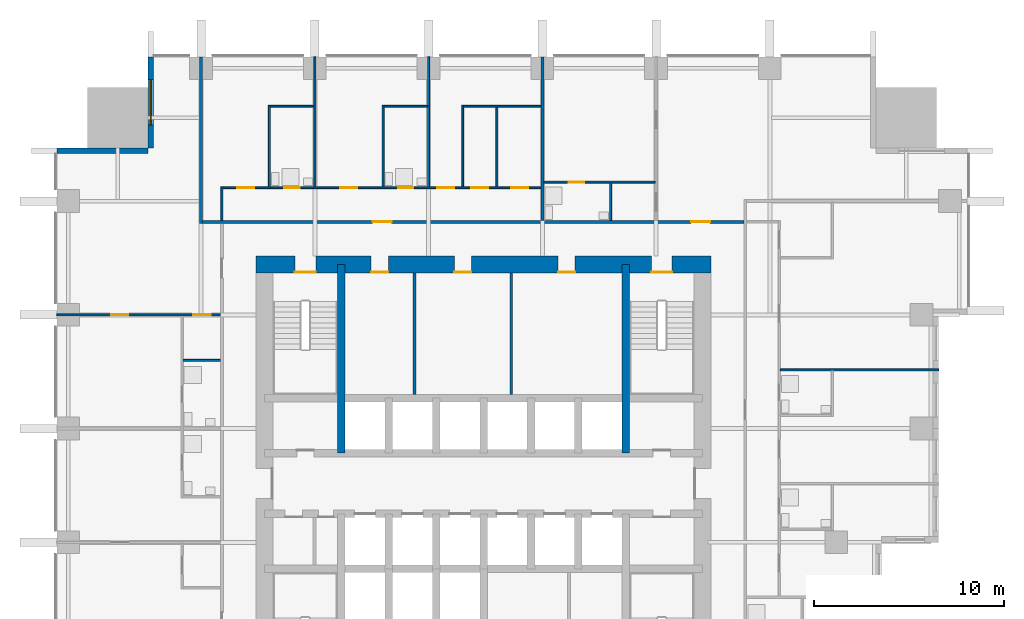
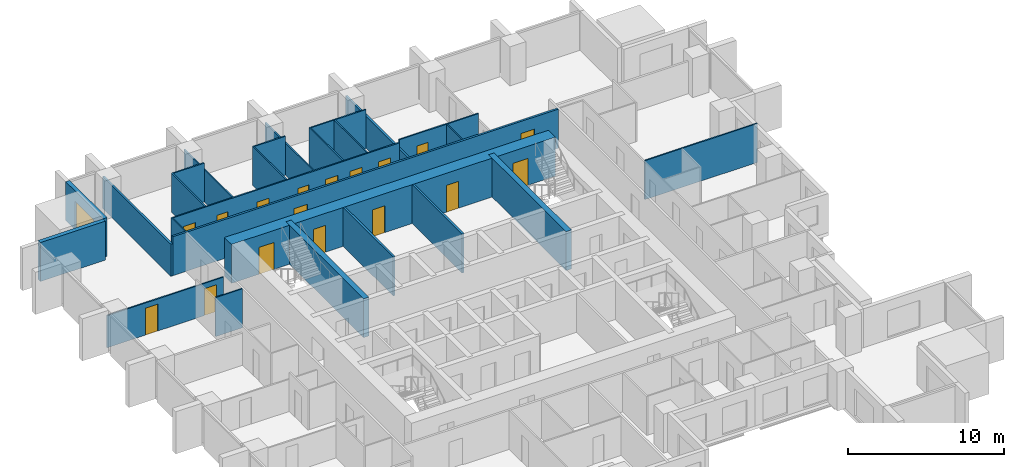
# One storey, part 7 of 10: 26 walls, 17 doors, 1 window, 18 openings.
"""IFC4 building model written with IfcOpenShell, lengths in metres."""

import ifcopenshell
import ifcopenshell.guid

model = None  # the IFC model being written
_history = None  # IfcOwnerHistory: only IFC2X3 demands one
_inside = {}  # id of a spatial element -> (the spatial element, [elements in it])
_under = {}  # id of a project, library or spatial element -> (it, [spatial elements below it])
_declared = {}  # id of a project -> (the project, [libraries it declares])
_typed = {}  # id of a type object -> (the type object, [elements of that type])
_made_of = {}  # id of a material, layer set ... -> (it, [elements and type objects made of it])


def new_model(schema):
    """Start an empty IFC model of exactly this schema.

    Asked for "IFC4X3", IfcOpenShell would pick the latest addendum, in which some entities
    have other attributes; the version numbers below select the first issue.
    IFC2X3 requires an IfcOwnerHistory on every rooted entity: one is made here for all.
    """
    global model, _history
    if schema == "IFC4X3":
        model = ifcopenshell.file(schema_version=(4, 3, 0, 0))
    else:
        model = ifcopenshell.file(schema=schema)
    _inside.clear()
    _under.clear()
    _declared.clear()
    _typed.clear()
    _made_of.clear()
    _history = None
    if model.schema == "IFC2X3":
        org = make("IfcOrganization", Name="unknown")
        user = make(
            "IfcPersonAndOrganization",
            ThePerson=make("IfcPerson", FamilyName="unknown"),
            TheOrganization=org,
        )
        app = make(
            "IfcApplication",
            ApplicationDeveloper=org,
            Version="unknown",
            ApplicationFullName="unknown",
            ApplicationIdentifier="unknown",
        )
        _history = make(
            "IfcOwnerHistory",
            OwningUser=user,
            OwningApplication=app,
            ChangeAction="ADDED",
            CreationDate=0,
        )
    return model


def make(cls, **values):
    """One entity of the class cls with the attributes given. An attribute that is None is left unset."""
    return model.create_entity(
        cls, **{name: value for name, value in values.items() if value is not None}
    )


def rooted(cls, **values):
    """An entity with a GlobalId (a new one), such as an element, a storey or a relation."""
    return make(cls, GlobalId=ifcopenshell.guid.new(), OwnerHistory=_history, **values)


def si_unit(unit_type, name, prefix=None):
    """IfcSIUnit, for example si_unit("LENGTHUNIT", "METRE", prefix="MILLI")."""
    return make("IfcSIUnit", UnitType=unit_type, Prefix=prefix, Name=name)


def assignment(units):
    """IfcUnitAssignment: the units of a project."""
    return None if units is None else make("IfcUnitAssignment", Units=units)


def point(xyz):
    """IfcCartesianPoint."""
    return None if xyz is None else make("IfcCartesianPoint", Coordinates=xyz)


def direction(xyz):
    """IfcDirection."""
    return None if xyz is None else make("IfcDirection", DirectionRatios=xyz)


def frame(location, z_axis=None, x_axis=None):
    """IfcAxis2Placement3D, a coordinate frame: its origin and axes. An axis left out is left unset."""
    return make(
        "IfcAxis2Placement3D",
        Location=point(location),
        Axis=direction(z_axis),
        RefDirection=direction(x_axis),
    )


def frame_2d(location, x_axis=None):
    """IfcAxis2Placement2D, a coordinate frame in the plane: its origin and x axis."""
    return make(
        "IfcAxis2Placement2D", Location=point(location), RefDirection=direction(x_axis)
    )


def origin():
    """The frame at (0, 0, 0) with its axes left unset."""
    return frame((0.0, 0.0, 0.0))


def place(relative_to, where):
    """IfcLocalPlacement: puts the frame where relative to a parent placement (None: the world)."""
    return make(
        "IfcLocalPlacement", PlacementRelTo=relative_to, RelativePlacement=where
    )


def context(
    kind, dimensions, precision=None, world=None, true_north=None, identifier=None
):
    """IfcGeometricRepresentationContext, for example the 3D "Model" context."""
    return make(
        "IfcGeometricRepresentationContext",
        ContextIdentifier=identifier,
        ContextType=kind,
        CoordinateSpaceDimension=dimensions,
        Precision=precision,
        WorldCoordinateSystem=world,
        TrueNorth=true_north,
    )


def subcontext(parent, identifier, kind, view, scale=None):
    """IfcGeometricRepresentationSubContext, for example "Body" below "Model"."""
    return make(
        "IfcGeometricRepresentationSubContext",
        ContextIdentifier=identifier,
        ContextType=kind,
        ParentContext=parent,
        TargetScale=scale,
        TargetView=view,
    )


def project(units=None, contexts=None):
    """IfcProject with its units and contexts."""
    return rooted(
        "IfcProject",
        Name="project",
        RepresentationContexts=contexts,
        UnitsInContext=assignment(units),
    )


def spatial(cls, under=None, at=None, **own):
    """A site, building, storey or space (cls), placed at a placement, below another one or the project."""
    s = rooted(cls, ObjectPlacement=at, **own)
    if under is not None:
        _under.setdefault(under.id(), (under, []))[1].append(s)
    return s


def profile(cls, at=None, kind="AREA", **sizes):
    """A parametric profile (cls). Its sizes go by their IFC names, for example OverallWidth=200.0."""
    return make(cls, ProfileType=kind, Position=at, **sizes)


def rectangle(**sizes):
    """IfcRectangleProfileDef."""
    return profile("IfcRectangleProfileDef", **sizes)


def extrude(swept, where, along, depth):
    """IfcExtrudedAreaSolid: the profile swept, set in the frame where, extruded along a direction by depth."""
    return make(
        "IfcExtrudedAreaSolid",
        SweptArea=swept,
        Position=where,
        ExtrudedDirection=direction(along),
        Depth=depth,
    )


def shape(context_of_items, identifier, shape_type, items):
    """IfcShapeRepresentation: the items that make up one representation, for example the "Body"."""
    return make(
        "IfcShapeRepresentation",
        ContextOfItems=context_of_items,
        RepresentationIdentifier=identifier,
        RepresentationType=shape_type,
        Items=items,
    )


def material(Name=None, Category=None):
    """IfcMaterial."""
    return make("IfcMaterial", Name=Name, Category=Category)


def layer(
    of_material, thickness, ventilated=None, Name=None, Category=None, Priority=None
):
    """IfcMaterialLayer: one layer of a wall or slab, of a material (None: an air gap)."""
    return make(
        "IfcMaterialLayer",
        Material=of_material,
        LayerThickness=thickness,
        IsVentilated=ventilated,
        Name=Name,
        Category=Category,
        Priority=Priority,
    )


def layer_set(layers, Name=None):
    """IfcMaterialLayerSet."""
    return make("IfcMaterialLayerSet", MaterialLayers=layers, LayerSetName=Name)


def made_of(thing, what):
    """Note that an element or type object is made of a material, layer set ...; save() writes the relation."""
    if what is not None:
        _made_of.setdefault(what.id(), (what, []))[1].append(thing)
    return thing


def type_object(cls, material=None, **own):
    """A type object (cls), such as IfcWallType, which elements share."""
    return made_of(rooted(cls, **own), material)


def element(
    cls,
    number,
    at=None,
    inside=None,
    cuts=None,
    type_object=None,
    material=None,
    context=None,
    identifier="Body",
    shape_type=None,
    held_by="IfcProductDefinitionShape",
    body=None,
    shapes=None,
    **own,
):
    """One element of the class cls, such as IfcWall. Its Tag is "e" and its number.

    at: its placement. inside: the storey or other place that contains it. cuts: it is an
    opening in that element (IfcRelVoidsElement). A single representation is given by context,
    identifier, shape_type and body (its items); several are given by shapes. held_by: the class
    of the entity that holds the representations. save() writes the other relations.
    """
    e = rooted(cls, Tag="e%d" % number, ObjectPlacement=at, **own)
    if body is not None:
        shapes = [shape(context, identifier, shape_type, body)]
    if shapes is not None:
        e.Representation = make(held_by, Representations=shapes)
    if inside is not None:
        _inside.setdefault(inside.id(), (inside, []))[1].append(e)
    if cuts is not None:
        rooted(
            "IfcRelVoidsElement", RelatingBuildingElement=cuts, RelatedOpeningElement=e
        )
    if type_object is not None:
        _typed.setdefault(type_object.id(), (type_object, []))[1].append(e)
    return made_of(e, material)


def fill(opening, filler):
    """IfcRelFillsElement: the door or window that sits in an opening."""
    return rooted(
        "IfcRelFillsElement",
        RelatingOpeningElement=opening,
        RelatedBuildingElement=filler,
    )


def aggregate(whole, parts):
    """IfcRelAggregates: a whole, such as a stair, and the parts it consists of."""
    return rooted("IfcRelAggregates", RelatingObject=whole, RelatedObjects=parts)


def save(model, path):
    """Write the relations noted so far, then the file.

    IfcRelAggregates (storeys below a building ...), IfcRelContainedInSpatialStructure (elements
    in a storey), IfcRelDefinesByType, IfcRelAssociatesMaterial and IfcRelDeclares: one each for
    every whole, place, type object, material and project.
    """
    for whole, parts in _under.values():
        aggregate(whole, parts)
    for where, things in _inside.values():
        rooted(
            "IfcRelContainedInSpatialStructure",
            RelatedElements=things,
            RelatingStructure=where,
        )
    for kind, things in _typed.values():
        rooted("IfcRelDefinesByType", RelatedObjects=things, RelatingType=kind)
    for what, things in _made_of.values():
        rooted("IfcRelAssociatesMaterial", RelatedObjects=things, RelatingMaterial=what)
    for by, libraries in _declared.values():
        rooted("IfcRelDeclares", RelatingContext=by, RelatedDefinitions=libraries)
    model.write(path)


model = new_model("IFC4")

# Units and contexts
model_context = context("Model", 3, precision=1e-05, world=origin(), true_north=direction((0.0, 1.0)))
body_context = subcontext(model_context, "Body", "Model", "MODEL_VIEW")
ifc_project = project(units=[si_unit("LENGTHUNIT", "METRE"), si_unit("AREAUNIT", "SQUARE_METRE"), si_unit("VOLUMEUNIT", "CUBIC_METRE"), si_unit("PLANEANGLEUNIT", "RADIAN"), si_unit("MASSUNIT", "GRAM", prefix="KILO")], contexts=[model_context])

# Site, building, storey
site_placement = place(None, origin())
site = spatial("IfcSite", under=ifc_project, at=site_placement, CompositionType="ELEMENT")
building_placement = place(site_placement, origin())
building = spatial("IfcBuilding", under=site, at=building_placement, Name="Amberfall Residences", CompositionType="ELEMENT")
storey_placement = place(building_placement, frame((0.0, 0.0, 46.60009765625)))
storey = spatial("IfcBuildingStorey", under=building, at=storey_placement, Name="L12", CompositionType="ELEMENT", Elevation=46.60009765625)

# Wall, opening, window
ifc_material_1 = material(Name="Pale stone cladding on insulated backing", Category="masonry")
ifc_layer_1 = layer(ifc_material_1, 0.300048828125)
ifc_layer_set_1 = layer_set([ifc_layer_1], Name="Bronze clad wall 300")
wall_type_1 = type_object("IfcWallType", Name="Bronze clad wall 300", PredefinedType="SOLIDWALL", material=ifc_layer_set_1)
wall_1_placement = place(storey_placement, frame((56.949951171875, 68.0, 0.0), z_axis=(0.0, 0.0, 1.0), x_axis=(0.0, -1.0, 0.0)))
wall_1 = element("IfcWall", 1, at=wall_1_placement, inside=storey, type_object=wall_type_1, Name="External wall L12 NW", PredefinedType="SOLIDWALL", context=body_context, shape_type="SweptSolid", body=[
    extrude(rectangle(XDim=4.800048828125, YDim=0.300048828125, at=frame_2d((2.39990234375, 0.0))), origin(), (0.0, 0.0, 1.0), 3.0498046875),
])
opening_1_placement = place(wall_1_placement, frame((1.199951171875, 0.0, 0.14990234375)))
opening_1 = element("IfcOpeningElement", 2, at=opening_1_placement, cuts=wall_1, Name="Opening WN5", PredefinedType="OPENING", context=body_context, shape_type="SweptSolid", body=[
    extrude(rectangle(XDim=2.39990234375, YDim=2.10009765625, at=frame_2d((1.199951171875, 1.050048828125))), frame((0.0, 0.159912109375, 0.0), z_axis=(0.0, -1.0, 0.0), x_axis=(1.0, 0.0, 0.0)), (0.0, 0.0, 1.0), 0.320068359375),
])
ifc_material_2 = material(Name="Bronze aluminium framed glazing", Category="aluminium")
window_type = type_object("IfcWindowType", Name="Glazed opening 2400 x 2100 bronze", PartitioningType="DOUBLE_PANEL_VERTICAL", PredefinedType="WINDOW", material=ifc_material_2)
window_placement = place(opening_1_placement, origin())
window = element("IfcWindow", 3, at=window_placement, inside=storey, type_object=window_type, Name="Window L12 NW", OverallHeight=2.10009765625, OverallWidth=2.39990234375, PartitioningType="DOUBLE_PANEL_VERTICAL", PredefinedType="WINDOW", context=body_context, shape_type="SweptSolid", body=[
    extrude(rectangle(XDim=2.39990234375, YDim=2.10009765625, at=frame_2d((1.199951171875, 1.050048828125))), frame((0.0, 0.030029296875, 0.0), z_axis=(0.0, -1.0, 0.0), x_axis=(1.0, 0.0, 0.0)), (0.0, 0.0, 1.0), 0.06005859375),
])
fill(opening_1, window)

# Walls
wall_2_placement = place(storey_placement, frame((56.800048828125, 63.050048828125, 0.0), z_axis=(0.0, 0.0, 1.0), x_axis=(-1.0, 0.0, 0.0)))
element("IfcWall", 4, at=wall_2_placement, inside=storey, type_object=wall_type_1, Name="External wall L12 NW", PredefinedType="SOLIDWALL", context=body_context, shape_type="SweptSolid", body=[
    extrude(rectangle(XDim=4.800048828125, YDim=0.300048828125, at=frame_2d((2.39990234375, 0.0))), origin(), (0.0, 0.0, 1.0), 3.0498046875),
])
ifc_material_3 = material(Name="Concrete C80", Category="concrete")
ifc_layer_2 = layer(ifc_material_3, 0.39990234375)
ifc_layer_set_2 = layer_set([ifc_layer_2], Name="Core wall 400 C80")
wall_type_2 = type_object("IfcWallType", Name="Core wall 400 C80", PredefinedType="SHEAR", material=ifc_layer_set_2)
for number, where, z_axis, x_axis, name in (
    (5, (67.0, 47.10009765625, 0.0), (0.0, 0.0, 1.0), (0.0, 1.0, 0.0), "Core wall RW2 L12 V45N"),
    (6, (82.0, 47.10009765625, 0.0), (0.0, 0.0, 1.0), (0.0, 1.0, 0.0), "Core wall RW2 L12 V195N"),
):
    element("IfcWall", number, at=place(storey_placement, frame(where, z_axis=z_axis, x_axis=x_axis)), inside=storey, type_object=wall_type_2, Name=name, PredefinedType="SHEAR", context=body_context, shape_type="SweptSolid", body=[
        extrude(rectangle(XDim=9.949951171875, YDim=0.39990234375, at=frame_2d((4.97509765625, 0.0))), origin(), (0.0, 0.0, 1.0), 3.0498046875),
    ])

# Wall, openings, doors
ifc_layer_3 = layer(ifc_material_3, 0.89990234375)
ifc_layer_set_3 = layer_set([ifc_layer_3], Name="Core wall 900 C80")
wall_type_3 = type_object("IfcWallType", Name="Core wall 900 C80", PredefinedType="SHEAR", material=ifc_layer_set_3)
wall_3_placement = place(storey_placement, frame((62.5, 57.050048828125, 0.0), z_axis=(0.0, 0.0, 1.0), x_axis=(1.0, 0.0, 0.0)))
wall_3 = element("IfcWall", 7, at=wall_3_placement, inside=storey, type_object=wall_type_3, Name="Core wall RW1 L12 ON", PredefinedType="SHEAR", context=body_context, shape_type="SweptSolid", body=[
    extrude(rectangle(XDim=24.0, YDim=0.89990234375, at=frame_2d((12.0, 0.0))), origin(), (0.0, 0.0, 1.0), 3.0498046875),
])
opening_2_placement = place(wall_3_placement, frame((20.85009765625, 0.0, 0.0)))
opening_2 = element("IfcOpeningElement", 8, at=opening_2_placement, cuts=wall_3, Name="Opening SD1", PredefinedType="OPENING", context=body_context, shape_type="SweptSolid", body=[
    extrude(rectangle(XDim=1.10009765625, YDim=2.10009765625, at=frame_2d((0.550048828125, 1.050048828125))), frame((0.0, 0.4599609375, 0.0), z_axis=(0.0, -1.0, 0.0), x_axis=(1.0, 0.0, 0.0)), (0.0, 0.0, 1.0), 0.919921875),
])
opening_3_placement = place(wall_3_placement, frame((2.050048828125, 0.0, 0.0)))
opening_3 = element("IfcOpeningElement", 9, at=opening_3_placement, cuts=wall_3, Name="Opening SD1", PredefinedType="OPENING", context=body_context, shape_type="SweptSolid", body=[
    extrude(rectangle(XDim=1.10009765625, YDim=2.10009765625, at=frame_2d((0.550048828125, 1.050048828125))), frame((0.0, 0.4599609375, 0.0), z_axis=(0.0, -1.0, 0.0), x_axis=(1.0, 0.0, 0.0)), (0.0, 0.0, 1.0), 0.919921875),
])
opening_4_placement = place(wall_3_placement, frame((6.074951171875, 0.0, 0.0)))
opening_4 = element("IfcOpeningElement", 10, at=opening_4_placement, cuts=wall_3, Name="Opening RD1", PredefinedType="OPENING", context=body_context, shape_type="SweptSolid", body=[
    extrude(rectangle(XDim=0.89990234375, YDim=2.10009765625, at=frame_2d((0.449951171875, 1.050048828125))), frame((0.0, 0.4599609375, 0.0), z_axis=(0.0, -1.0, 0.0), x_axis=(1.0, 0.0, 0.0)), (0.0, 0.0, 1.0), 0.919921875),
])
opening_5_placement = place(wall_3_placement, frame((10.455078125, 0.0, 0.0)))
opening_5 = element("IfcOpeningElement", 11, at=opening_5_placement, cuts=wall_3, Name="Opening RD1", PredefinedType="OPENING", context=body_context, shape_type="SweptSolid", body=[
    extrude(rectangle(XDim=0.89990234375, YDim=2.10009765625, at=frame_2d((0.449951171875, 1.050048828125))), frame((0.0, 0.4599609375, 0.0), z_axis=(0.0, -1.0, 0.0), x_axis=(1.0, 0.0, 0.0)), (0.0, 0.0, 1.0), 0.919921875),
])
opening_6_placement = place(wall_3_placement, frame((15.929931640625, 0.0, 0.0)))
opening_6 = element("IfcOpeningElement", 12, at=opening_6_placement, cuts=wall_3, Name="Opening RD1", PredefinedType="OPENING", context=body_context, shape_type="SweptSolid", body=[
    extrude(rectangle(XDim=0.89990234375, YDim=2.10009765625, at=frame_2d((0.449951171875, 1.050048828125))), frame((0.0, 0.4599609375, 0.0), z_axis=(0.0, -1.0, 0.0), x_axis=(1.0, 0.0, 0.0)), (0.0, 0.0, 1.0), 0.919921875),
])
ifc_material_4 = material(Name="Steel fire door set", Category="steel")
door_type_1 = type_object("IfcDoorType", Name="Service room door 900 x 2100", OperationType="SINGLE_SWING_LEFT", PredefinedType="DOOR", material=ifc_material_4)
door_1_placement = place(opening_4_placement, origin())
door_1 = element("IfcDoor", 13, at=door_1_placement, inside=storey, type_object=door_type_1, Name="RD1 L12", OperationType="SINGLE_SWING_RIGHT", OverallHeight=2.10009765625, OverallWidth=0.89990234375, PredefinedType="DOOR", context=body_context, shape_type="SweptSolid", body=[
    extrude(rectangle(XDim=0.89990234375, YDim=2.10009765625, at=frame_2d((0.449951171875, 1.050048828125))), frame((0.0, -0.3876953125, 0.0), z_axis=(0.0, -1.0, 0.0), x_axis=(1.0, 0.0, 0.0)), (0.0, 0.0, 1.0), 0.050048828125),
])
fill(opening_4, door_1)
door_2_placement = place(opening_5_placement, origin())
door_2 = element("IfcDoor", 14, at=door_2_placement, inside=storey, type_object=door_type_1, Name="RD1 L12", OperationType="SINGLE_SWING_RIGHT", OverallHeight=2.10009765625, OverallWidth=0.89990234375, PredefinedType="DOOR", context=body_context, shape_type="SweptSolid", body=[
    extrude(rectangle(XDim=0.89990234375, YDim=2.10009765625, at=frame_2d((0.449951171875, 1.050048828125))), frame((0.0, -0.3876953125, 0.0), z_axis=(0.0, -1.0, 0.0), x_axis=(1.0, 0.0, 0.0)), (0.0, 0.0, 1.0), 0.050048828125),
])
fill(opening_5, door_2)
door_3_placement = place(opening_6_placement, origin())
door_3 = element("IfcDoor", 15, at=door_3_placement, inside=storey, type_object=door_type_1, Name="RD1 L12", OperationType="SINGLE_SWING_RIGHT", OverallHeight=2.10009765625, OverallWidth=0.89990234375, PredefinedType="DOOR", context=body_context, shape_type="SweptSolid", body=[
    extrude(rectangle(XDim=0.89990234375, YDim=2.10009765625, at=frame_2d((0.449951171875, 1.050048828125))), frame((0.0, -0.3876953125, 0.0), z_axis=(0.0, -1.0, 0.0), x_axis=(1.0, 0.0, 0.0)), (0.0, 0.0, 1.0), 0.050048828125),
])
fill(opening_6, door_3)
door_type_2 = type_object("IfcDoorType", Name="Stair door 1100 x 2100", OperationType="SINGLE_SWING_LEFT", PredefinedType="DOOR", material=ifc_material_4)
door_4_placement = place(opening_2_placement, origin())
door_4 = element("IfcDoor", 16, at=door_4_placement, inside=storey, type_object=door_type_2, Name="SD1 L12", OperationType="SINGLE_SWING_RIGHT", OverallHeight=2.10009765625, OverallWidth=1.10009765625, PredefinedType="DOOR", context=body_context, shape_type="SweptSolid", body=[
    extrude(rectangle(XDim=1.10009765625, YDim=2.10009765625, at=frame_2d((0.550048828125, 1.050048828125))), frame((0.0, -0.3876953125, 0.0), z_axis=(0.0, -1.0, 0.0), x_axis=(1.0, 0.0, 0.0)), (0.0, 0.0, 1.0), 0.050048828125),
])
fill(opening_2, door_4)
door_5_placement = place(opening_3_placement, origin())
door_5 = element("IfcDoor", 17, at=door_5_placement, inside=storey, type_object=door_type_2, Name="SD1 L12", OperationType="SINGLE_SWING_LEFT", OverallHeight=2.10009765625, OverallWidth=1.10009765625, PredefinedType="DOOR", context=body_context, shape_type="SweptSolid", body=[
    extrude(rectangle(XDim=1.10009765625, YDim=2.10009765625, at=frame_2d((0.550048828125, 1.050048828125))), frame((0.0, -0.3876953125, 0.0), z_axis=(0.0, -1.0, 0.0), x_axis=(1.0, 0.0, 0.0)), (0.0, 0.0, 1.0), 0.050048828125),
])
fill(opening_3, door_5)

# Walls
ifc_material_5 = material(Name="Gypsum board on metal stud")
ifc_layer_4 = layer(ifc_material_5, 0.10009765625)
ifc_layer_set_4 = layer_set([ifc_layer_4], Name="Flat partition 100")
wall_type_4 = type_object("IfcWallType", Name="Flat partition 100", PredefinedType="PARTITIONING", material=ifc_layer_set_4)
wall_4_placement = place(storey_placement, frame((60.699951171875, 59.375, 0.0), z_axis=(0.0, 0.0, 1.0), x_axis=(0.0, 1.0, 0.0)))
element("IfcWall", 18, at=wall_4_placement, inside=storey, type_object=wall_type_4, Name="Partition 004", PredefinedType="PARTITIONING", context=body_context, shape_type="SweptSolid", body=[
    extrude(rectangle(XDim=1.77490234375, YDim=0.10009765625, at=frame_2d((0.887451171875, 0.0))), origin(), (0.0, 0.0, 1.0), 3.0498046875),
])
wall_5_placement = place(storey_placement, frame((63.199951171875, 61.14990234375, 0.0), z_axis=(0.0, 0.0, 1.0), x_axis=(0.0, 1.0, 0.0)))
element("IfcWall", 19, at=wall_5_placement, inside=storey, type_object=wall_type_4, Name="Partition 005", PredefinedType="PARTITIONING", context=body_context, shape_type="SweptSolid", body=[
    extrude(rectangle(XDim=4.300048828125, YDim=0.10009765625, at=frame_2d((2.14990234375, 0.0))), origin(), (0.0, 0.0, 1.0), 3.0498046875),
])
wall_6_placement = place(storey_placement, frame((65.60009765625, 61.14990234375, 0.0), z_axis=(0.0, 0.0, 1.0), x_axis=(0.0, 1.0, 0.0)))
element("IfcWall", 20, at=wall_6_placement, inside=storey, type_object=wall_type_4, Name="Partition 006", PredefinedType="PARTITIONING", context=body_context, shape_type="SweptSolid", body=[
    extrude(rectangle(XDim=6.85009765625, YDim=0.10009765625, at=frame_2d((3.425048828125, 0.0))), origin(), (0.0, 0.0, 1.0), 2.515869140625),
])
wall_7_placement = place(storey_placement, frame((69.199951171875, 61.14990234375, 0.0), z_axis=(0.0, 0.0, 1.0), x_axis=(0.0, 1.0, 0.0)))
element("IfcWall", 21, at=wall_7_placement, inside=storey, type_object=wall_type_4, Name="Partition 008", PredefinedType="PARTITIONING", context=body_context, shape_type="SweptSolid", body=[
    extrude(rectangle(XDim=4.300048828125, YDim=0.10009765625, at=frame_2d((2.14990234375, 0.0))), origin(), (0.0, 0.0, 1.0), 3.0498046875),
])
wall_8_placement = place(storey_placement, frame((71.60009765625, 61.14990234375, 0.0), z_axis=(0.0, 0.0, 1.0), x_axis=(0.0, 1.0, 0.0)))
element("IfcWall", 22, at=wall_8_placement, inside=storey, type_object=wall_type_4, Name="Partition 010", PredefinedType="PARTITIONING", context=body_context, shape_type="SweptSolid", body=[
    extrude(rectangle(XDim=6.85009765625, YDim=0.10009765625, at=frame_2d((3.425048828125, 0.0))), origin(), (0.0, 0.0, 1.0), 2.515869140625),
])
wall_9_placement = place(storey_placement, frame((73.39990234375, 61.14990234375, 0.0), z_axis=(0.0, 0.0, 1.0), x_axis=(0.0, 1.0, 0.0)))
element("IfcWall", 23, at=wall_9_placement, inside=storey, type_object=wall_type_4, Name="Partition 011", PredefinedType="PARTITIONING", context=body_context, shape_type="SweptSolid", body=[
    extrude(rectangle(XDim=4.300048828125, YDim=0.10009765625, at=frame_2d((2.14990234375, 0.0))), origin(), (0.0, 0.0, 1.0), 3.0498046875),
])
wall_10_placement = place(storey_placement, frame((75.199951171875, 61.14990234375, 0.0), z_axis=(0.0, 0.0, 1.0), x_axis=(0.0, 1.0, 0.0)))
element("IfcWall", 24, at=wall_10_placement, inside=storey, type_object=wall_type_4, Name="Partition 012", PredefinedType="PARTITIONING", context=body_context, shape_type="SweptSolid", body=[
    extrude(rectangle(XDim=4.2001953125, YDim=0.10009765625, at=frame_2d((2.10009765625, 0.0))), origin(), (0.0, 0.0, 1.0), 3.0498046875),
])
wall_11_placement = place(storey_placement, frame((81.199951171875, 59.375, 0.0), z_axis=(0.0, 0.0, 1.0), x_axis=(0.0, 1.0, 0.0)))
element("IfcWall", 25, at=wall_11_placement, inside=storey, type_object=wall_type_4, Name="Partition 015", PredefinedType="PARTITIONING", context=body_context, shape_type="SweptSolid", body=[
    extrude(rectangle(XDim=1.97509765625, YDim=0.10009765625, at=frame_2d((0.987548828125, 0.0))), origin(), (0.0, 0.0, 1.0), 3.0498046875),
])
for number, where, z_axis, x_axis, name in (
    (26, (63.25, 65.39990234375, 0.0), (0.0, 0.0, 1.0), (1.0, 0.0, 0.0), "Partition 024"),
    (27, (69.25, 65.39990234375, 0.0), (0.0, 0.0, 1.0), (1.0, 0.0, 0.0), "Partition 025"),
):
    element("IfcWall", number, at=place(storey_placement, frame(where, z_axis=z_axis, x_axis=x_axis)), inside=storey, type_object=wall_type_4, Name=name, PredefinedType="PARTITIONING", context=body_context, shape_type="SweptSolid", body=[
        extrude(rectangle(XDim=2.300048828125, YDim=0.10009765625, at=frame_2d((1.14990234375, 0.0))), origin(), (0.0, 0.0, 1.0), 3.0498046875),
    ])
wall_12_placement = place(storey_placement, frame((73.449951171875, 65.39990234375, 0.0), z_axis=(0.0, 0.0, 1.0), x_axis=(1.0, 0.0, 0.0)))
element("IfcWall", 28, at=wall_12_placement, inside=storey, type_object=wall_type_4, Name="Partition 026", PredefinedType="PARTITIONING", context=body_context, shape_type="SweptSolid", body=[
    extrude(rectangle(XDim=4.074951171875, YDim=0.10009765625, at=frame_2d((2.03759765625, 0.0))), origin(), (0.0, 0.0, 1.0), 3.0498046875),
])

# Wall, opening, door
wall_13_placement = place(storey_placement, frame((83.550048828125, 61.39990234375, 0.0), z_axis=(0.0, 0.0, 1.0), x_axis=(-1.0, 0.0, 0.0)))
wall_13 = element("IfcWall", 29, at=wall_13_placement, inside=storey, type_object=wall_type_4, Name="Partition 027", PredefinedType="PARTITIONING", context=body_context, shape_type="SweptSolid", body=[
    extrude(rectangle(XDim=5.875, YDim=0.10009765625, at=frame_2d((2.9375, 0.0))), origin(), (0.0, 0.0, 1.0), 3.0498046875),
])
opening_7_placement = place(wall_13_placement, frame((3.75, 0.0, 0.0)))
opening_7 = element("IfcOpeningElement", 30, at=opening_7_placement, cuts=wall_13, Name="Opening D42", PredefinedType="OPENING", context=body_context, shape_type="SweptSolid", body=[
    extrude(rectangle(XDim=0.800048828125, YDim=2.10009765625, at=frame_2d((0.39990234375, 1.050048828125))), frame((0.0, 0.06005859375, 0.0), z_axis=(0.0, -1.0, 0.0), x_axis=(1.0, 0.0, 0.0)), (0.0, 0.0, 1.0), 0.1201171875),
])
ifc_material_6 = material(Name="Timber", Category="wood")
door_type_3 = type_object("IfcDoorType", Name="Bathroom door 800 x 2100", OperationType="SINGLE_SWING_LEFT", PredefinedType="DOOR", material=ifc_material_6)
door_6_placement = place(opening_7_placement, origin())
door_6 = element("IfcDoor", 31, at=door_6_placement, inside=storey, type_object=door_type_3, Name="Door 1206 bath1", OperationType="SINGLE_SWING_LEFT", OverallHeight=2.10009765625, OverallWidth=0.800048828125, PredefinedType="DOOR", context=body_context, shape_type="SweptSolid", body=[
    extrude(rectangle(XDim=0.800048828125, YDim=2.10009765625, at=frame_2d((0.39990234375, 1.050048828125))), frame((0.0, 0.02490234375, 0.0), z_axis=(0.0, -1.0, 0.0), x_axis=(1.0, 0.0, 0.0)), (0.0, 0.0, 1.0), 0.050048828125),
])
fill(opening_7, door_6)

# Wall, openings, doors
wall_14_placement = place(storey_placement, frame((60.75, 61.10009765625, 0.0), z_axis=(0.0, 0.0, 1.0), x_axis=(1.0, 0.0, 0.0)))
wall_14 = element("IfcWall", 32, at=wall_14_placement, inside=storey, type_object=wall_type_4, Name="Partition 028", PredefinedType="PARTITIONING", context=body_context, shape_type="SweptSolid", body=[
    extrude(rectangle(XDim=16.77490234375, YDim=0.10009765625, at=frame_2d((8.387451171875, 0.0))), origin(), (0.0, 0.0, 1.0), 3.0498046875),
])
opening_8_placement = place(wall_14_placement, frame((11.300048828125, 0.0, 0.0)))
opening_8 = element("IfcOpeningElement", 33, at=opening_8_placement, cuts=wall_14, Name="Opening D41", PredefinedType="OPENING", context=body_context, shape_type="SweptSolid", body=[
    extrude(rectangle(XDim=0.89990234375, YDim=2.10009765625, at=frame_2d((0.449951171875, 1.050048828125))), frame((0.0, 0.06005859375, 0.0), z_axis=(0.0, -1.0, 0.0), x_axis=(1.0, 0.0, 0.0)), (0.0, 0.0, 1.0), 0.1201171875),
])
opening_9_placement = place(wall_14_placement, frame((15.199951171875, 0.0, 0.0)))
opening_9 = element("IfcOpeningElement", 34, at=opening_9_placement, cuts=wall_14, Name="Opening D41", PredefinedType="OPENING", context=body_context, shape_type="SweptSolid", body=[
    extrude(rectangle(XDim=0.89990234375, YDim=2.10009765625, at=frame_2d((0.449951171875, 1.050048828125))), frame((0.0, 0.06005859375, 0.0), z_axis=(0.0, -1.0, 0.0), x_axis=(1.0, 0.0, 0.0)), (0.0, 0.0, 1.0), 0.1201171875),
])
opening_10_placement = place(wall_14_placement, frame((13.10009765625, 0.0, 0.0)))
opening_10 = element("IfcOpeningElement", 35, at=opening_10_placement, cuts=wall_14, Name="Opening D41", PredefinedType="OPENING", context=body_context, shape_type="SweptSolid", body=[
    extrude(rectangle(XDim=0.89990234375, YDim=2.10009765625, at=frame_2d((0.449951171875, 1.050048828125))), frame((0.0, 0.06005859375, 0.0), z_axis=(0.0, -1.0, 0.0), x_axis=(1.0, 0.0, 0.0)), (0.0, 0.0, 1.0), 0.1201171875),
])
opening_11_placement = place(wall_14_placement, frame((0.75, 0.0, 0.0)))
opening_11 = element("IfcOpeningElement", 36, at=opening_11_placement, cuts=wall_14, Name="Opening D41", PredefinedType="OPENING", context=body_context, shape_type="SweptSolid", body=[
    extrude(rectangle(XDim=0.89990234375, YDim=2.10009765625, at=frame_2d((0.449951171875, 1.050048828125))), frame((0.0, 0.06005859375, 0.0), z_axis=(0.0, -1.0, 0.0), x_axis=(1.0, 0.0, 0.0)), (0.0, 0.0, 1.0), 0.1201171875),
])
opening_12_placement = place(wall_14_placement, frame((6.199951171875, 0.0, 0.0)))
opening_12 = element("IfcOpeningElement", 37, at=opening_12_placement, cuts=wall_14, Name="Opening D41", PredefinedType="OPENING", context=body_context, shape_type="SweptSolid", body=[
    extrude(rectangle(XDim=0.89990234375, YDim=2.10009765625, at=frame_2d((0.449951171875, 1.050048828125))), frame((0.0, 0.06005859375, 0.0), z_axis=(0.0, -1.0, 0.0), x_axis=(1.0, 0.0, 0.0)), (0.0, 0.0, 1.0), 0.1201171875),
])
opening_13_placement = place(wall_14_placement, frame((3.25, 0.0, 0.0)))
opening_13 = element("IfcOpeningElement", 38, at=opening_13_placement, cuts=wall_14, Name="Opening D42", PredefinedType="OPENING", context=body_context, shape_type="SweptSolid", body=[
    extrude(rectangle(XDim=0.800048828125, YDim=2.10009765625, at=frame_2d((0.39990234375, 1.050048828125))), frame((0.0, 0.06005859375, 0.0), z_axis=(0.0, -1.0, 0.0), x_axis=(1.0, 0.0, 0.0)), (0.0, 0.0, 1.0), 0.1201171875),
])
opening_14_placement = place(wall_14_placement, frame((9.25, 0.0, 0.0)))
opening_14 = element("IfcOpeningElement", 39, at=opening_14_placement, cuts=wall_14, Name="Opening D42", PredefinedType="OPENING", context=body_context, shape_type="SweptSolid", body=[
    extrude(rectangle(XDim=0.800048828125, YDim=2.10009765625, at=frame_2d((0.39990234375, 1.050048828125))), frame((0.0, 0.06005859375, 0.0), z_axis=(0.0, -1.0, 0.0), x_axis=(1.0, 0.0, 0.0)), (0.0, 0.0, 1.0), 0.1201171875),
])
door_7_placement = place(opening_13_placement, origin())
door_7 = element("IfcDoor", 40, at=door_7_placement, inside=storey, type_object=door_type_3, Name="Door 1205 bath1", OperationType="SINGLE_SWING_LEFT", OverallHeight=2.10009765625, OverallWidth=0.800048828125, PredefinedType="DOOR", context=body_context, shape_type="SweptSolid", body=[
    extrude(rectangle(XDim=0.800048828125, YDim=2.10009765625, at=frame_2d((0.39990234375, 1.050048828125))), frame((0.0, 0.02490234375, 0.0), z_axis=(0.0, -1.0, 0.0), x_axis=(1.0, 0.0, 0.0)), (0.0, 0.0, 1.0), 0.050048828125),
])
fill(opening_13, door_7)
door_8_placement = place(opening_14_placement, origin())
door_8 = element("IfcDoor", 41, at=door_8_placement, inside=storey, type_object=door_type_3, Name="Door 1205 bath2", OperationType="SINGLE_SWING_LEFT", OverallHeight=2.10009765625, OverallWidth=0.800048828125, PredefinedType="DOOR", context=body_context, shape_type="SweptSolid", body=[
    extrude(rectangle(XDim=0.800048828125, YDim=2.10009765625, at=frame_2d((0.39990234375, 1.050048828125))), frame((0.0, 0.02490234375, 0.0), z_axis=(0.0, -1.0, 0.0), x_axis=(1.0, 0.0, 0.0)), (0.0, 0.0, 1.0), 0.050048828125),
])
fill(opening_14, door_8)
door_type_4 = type_object("IfcDoorType", Name="Internal door 900 x 2100", OperationType="SINGLE_SWING_LEFT", PredefinedType="DOOR", material=ifc_material_6)
door_9_placement = place(opening_8_placement, origin())
door_9 = element("IfcDoor", 42, at=door_9_placement, inside=storey, type_object=door_type_4, Name="Door 1205 living", OperationType="SINGLE_SWING_LEFT", OverallHeight=2.10009765625, OverallWidth=0.89990234375, PredefinedType="DOOR", context=body_context, shape_type="SweptSolid", body=[
    extrude(rectangle(XDim=0.89990234375, YDim=2.10009765625, at=frame_2d((0.449951171875, 1.050048828125))), frame((0.0, 0.02490234375, 0.0), z_axis=(0.0, -1.0, 0.0), x_axis=(1.0, 0.0, 0.0)), (0.0, 0.0, 1.0), 0.050048828125),
])
fill(opening_8, door_9)
door_10_placement = place(opening_9_placement, origin())
door_10 = element("IfcDoor", 43, at=door_10_placement, inside=storey, type_object=door_type_4, Name="Door 1205 kitchen", OperationType="SINGLE_SWING_LEFT", OverallHeight=2.10009765625, OverallWidth=0.89990234375, PredefinedType="DOOR", context=body_context, shape_type="SweptSolid", body=[
    extrude(rectangle(XDim=0.89990234375, YDim=2.10009765625, at=frame_2d((0.449951171875, 1.050048828125))), frame((0.0, 0.02490234375, 0.0), z_axis=(0.0, -1.0, 0.0), x_axis=(1.0, 0.0, 0.0)), (0.0, 0.0, 1.0), 0.050048828125),
])
fill(opening_9, door_10)
door_11_placement = place(opening_10_placement, origin())
door_11 = element("IfcDoor", 44, at=door_11_placement, inside=storey, type_object=door_type_4, Name="Door 1205 utility", OperationType="SINGLE_SWING_LEFT", OverallHeight=2.10009765625, OverallWidth=0.89990234375, PredefinedType="DOOR", context=body_context, shape_type="SweptSolid", body=[
    extrude(rectangle(XDim=0.89990234375, YDim=2.10009765625, at=frame_2d((0.449951171875, 1.050048828125))), frame((0.0, 0.02490234375, 0.0), z_axis=(0.0, -1.0, 0.0), x_axis=(1.0, 0.0, 0.0)), (0.0, 0.0, 1.0), 0.050048828125),
])
fill(opening_10, door_11)
door_12_placement = place(opening_11_placement, origin())
door_12 = element("IfcDoor", 45, at=door_12_placement, inside=storey, type_object=door_type_4, Name="Door 1205 bedroom1", OperationType="SINGLE_SWING_LEFT", OverallHeight=2.10009765625, OverallWidth=0.89990234375, PredefinedType="DOOR", context=body_context, shape_type="SweptSolid", body=[
    extrude(rectangle(XDim=0.89990234375, YDim=2.10009765625, at=frame_2d((0.449951171875, 1.050048828125))), frame((0.0, 0.02490234375, 0.0), z_axis=(0.0, -1.0, 0.0), x_axis=(1.0, 0.0, 0.0)), (0.0, 0.0, 1.0), 0.050048828125),
])
fill(opening_11, door_12)
door_13_placement = place(opening_12_placement, origin())
door_13 = element("IfcDoor", 46, at=door_13_placement, inside=storey, type_object=door_type_4, Name="Door 1205 bedroom2", OperationType="SINGLE_SWING_LEFT", OverallHeight=2.10009765625, OverallWidth=0.89990234375, PredefinedType="DOOR", context=body_context, shape_type="SweptSolid", body=[
    extrude(rectangle(XDim=0.89990234375, YDim=2.10009765625, at=frame_2d((0.449951171875, 1.050048828125))), frame((0.0, 0.02490234375, 0.0), z_axis=(0.0, -1.0, 0.0), x_axis=(1.0, 0.0, 0.0)), (0.0, 0.0, 1.0), 0.050048828125),
])
fill(opening_12, door_13)

wall_15_placement = place(storey_placement, frame((60.625, 54.39990234375, 0.0), z_axis=(0.0, 0.0, 1.0), x_axis=(-1.0, 0.0, 0.0)))
wall_15 = element("IfcWall", 47, at=wall_15_placement, inside=storey, type_object=wall_type_4, Name="Partition 031", PredefinedType="PARTITIONING", context=body_context, shape_type="SweptSolid", body=[
    extrude(rectangle(XDim=8.625, YDim=0.10009765625, at=frame_2d((4.3125, 0.0))), origin(), (0.0, 0.0, 1.0), 2.515869140625),
])
opening_15_placement = place(wall_15_placement, frame((0.52490234375, 0.0, 0.0)))
opening_15 = element("IfcOpeningElement", 48, at=opening_15_placement, cuts=wall_15, Name="Opening D41", PredefinedType="OPENING", context=body_context, shape_type="SweptSolid", body=[
    extrude(rectangle(XDim=0.89990234375, YDim=2.10009765625, at=frame_2d((0.449951171875, 1.050048828125))), frame((0.0, 0.06005859375, 0.0), z_axis=(0.0, -1.0, 0.0), x_axis=(1.0, 0.0, 0.0)), (0.0, 0.0, 1.0), 0.1201171875),
])
opening_16_placement = place(wall_15_placement, frame((4.875, 0.0, 0.0)))
opening_16 = element("IfcOpeningElement", 49, at=opening_16_placement, cuts=wall_15, Name="Opening D41", PredefinedType="OPENING", context=body_context, shape_type="SweptSolid", body=[
    extrude(rectangle(XDim=0.89990234375, YDim=2.10009765625, at=frame_2d((0.449951171875, 1.050048828125))), frame((0.0, 0.06005859375, 0.0), z_axis=(0.0, -1.0, 0.0), x_axis=(1.0, 0.0, 0.0)), (0.0, 0.0, 1.0), 0.1201171875),
])
door_14_placement = place(opening_15_placement, origin())
door_14 = element("IfcDoor", 50, at=door_14_placement, inside=storey, type_object=door_type_4, Name="Door 1208 kitchen", OperationType="SINGLE_SWING_LEFT", OverallHeight=2.10009765625, OverallWidth=0.89990234375, PredefinedType="DOOR", context=body_context, shape_type="SweptSolid", body=[
    extrude(rectangle(XDim=0.89990234375, YDim=2.10009765625, at=frame_2d((0.449951171875, 1.050048828125))), frame((0.0, 0.02490234375, 0.0), z_axis=(0.0, -1.0, 0.0), x_axis=(1.0, 0.0, 0.0)), (0.0, 0.0, 1.0), 0.050048828125),
])
fill(opening_15, door_14)
door_15_placement = place(opening_16_placement, origin())
door_15 = element("IfcDoor", 51, at=door_15_placement, inside=storey, type_object=door_type_4, Name="Door 1208 bedroom1", OperationType="SINGLE_SWING_LEFT", OverallHeight=2.10009765625, OverallWidth=0.89990234375, PredefinedType="DOOR", context=body_context, shape_type="SweptSolid", body=[
    extrude(rectangle(XDim=0.89990234375, YDim=2.10009765625, at=frame_2d((0.449951171875, 1.050048828125))), frame((0.0, 0.02490234375, 0.0), z_axis=(0.0, -1.0, 0.0), x_axis=(1.0, 0.0, 0.0)), (0.0, 0.0, 1.0), 0.050048828125),
])
fill(opening_16, door_15)

# Walls
wall_16_placement = place(storey_placement, frame((58.64990234375, 52.0, 0.0), z_axis=(0.0, 0.0, 1.0), x_axis=(1.0, 0.0, 0.0)))
element("IfcWall", 52, at=wall_16_placement, inside=storey, type_object=wall_type_4, Name="Partition 032", PredefinedType="PARTITIONING", context=body_context, shape_type="SweptSolid", body=[
    extrude(rectangle(XDim=1.97509765625, YDim=0.10009765625, at=frame_2d((0.987548828125, 0.0))), origin(), (0.0, 0.0, 1.0), 3.0498046875),
])
wall_17_placement = place(storey_placement, frame((90.14990234375, 51.5, 0.0), z_axis=(0.0, 0.0, 1.0), x_axis=(1.0, 0.0, 0.0)))
element("IfcWall", 53, at=wall_17_placement, inside=storey, type_object=wall_type_4, Name="Partition 033", PredefinedType="PARTITIONING", context=body_context, shape_type="SweptSolid", body=[
    extrude(rectangle(XDim=8.35009765625, YDim=0.10009765625, at=frame_2d((4.175048828125, 0.0))), origin(), (0.0, 0.0, 1.0), 3.0498046875),
])
ifc_material_7 = material(Name="Blockwork, plastered", Category="masonry")
ifc_layer_5 = layer(ifc_material_7, 0.14990234375)
ifc_layer_set_5 = layer_set([ifc_layer_5], Name="Flat separating wall 150")
wall_type_5 = type_object("IfcWallType", Name="Flat separating wall 150", PredefinedType="PARTITIONING", material=ifc_layer_set_5)
wall_18_placement = place(storey_placement, frame((59.60009765625, 59.22509765625, 0.0), z_axis=(0.0, 0.0, 1.0), x_axis=(0.0, 1.0, 0.0)))
element("IfcWall", 54, at=wall_18_placement, inside=storey, type_object=wall_type_5, Name="Separating wall 047", PredefinedType="PARTITIONING", context=body_context, shape_type="SweptSolid", body=[
    extrude(rectangle(XDim=8.77490234375, YDim=0.14990234375, at=frame_2d((4.387451171875, 0.0))), origin(), (0.0, 0.0, 1.0), 2.510009765625),
])
wall_19_placement = place(storey_placement, frame((77.60009765625, 59.375, 0.0), z_axis=(0.0, 0.0, 1.0), x_axis=(0.0, 1.0, 0.0)))
element("IfcWall", 55, at=wall_19_placement, inside=storey, type_object=wall_type_5, Name="Separating wall 050", PredefinedType="PARTITIONING", context=body_context, shape_type="SweptSolid", body=[
    extrude(rectangle(XDim=8.625, YDim=0.14990234375, at=frame_2d((4.3125, 0.0))), origin(), (0.0, 0.0, 1.0), 2.515869140625),
])

# Wall, openings, doors
wall_20_placement = place(storey_placement, frame((59.675048828125, 59.300048828125, 0.0), z_axis=(0.0, 0.0, 1.0), x_axis=(1.0, 0.0, 0.0)))
wall_20 = element("IfcWall", 56, at=wall_20_placement, inside=storey, type_object=wall_type_5, Name="Separating wall 054", PredefinedType="PARTITIONING", context=body_context, shape_type="SweptSolid", body=[
    extrude(rectangle(XDim=28.550048828125, YDim=0.14990234375, at=frame_2d((14.27490234375, 0.0))), origin(), (0.0, 0.0, 1.0), 3.0498046875),
])
opening_17_placement = place(wall_20_placement, frame((8.97509765625, 0.0, 0.0)))
opening_17 = element("IfcOpeningElement", 57, at=opening_17_placement, cuts=wall_20, Name="Opening D40", PredefinedType="OPENING", context=body_context, shape_type="SweptSolid", body=[
    extrude(rectangle(XDim=1.0, YDim=2.10009765625, at=frame_2d((0.5, 1.050048828125))), frame((0.0, 0.0849609375, 0.0), z_axis=(0.0, -1.0, 0.0), x_axis=(1.0, 0.0, 0.0)), (0.0, 0.0, 1.0), 0.169921875),
])
opening_18_placement = place(wall_20_placement, frame((25.77490234375, 0.0, 0.0)))
opening_18 = element("IfcOpeningElement", 58, at=opening_18_placement, cuts=wall_20, Name="Opening D40", PredefinedType="OPENING", context=body_context, shape_type="SweptSolid", body=[
    extrude(rectangle(XDim=1.0, YDim=2.10009765625, at=frame_2d((0.5, 1.050048828125))), frame((0.0, 0.0849609375, 0.0), z_axis=(0.0, -1.0, 0.0), x_axis=(1.0, 0.0, 0.0)), (0.0, 0.0, 1.0), 0.169921875),
])
ifc_material_8 = material(Name="Timber, fire-rated", Category="wood")
door_type_5 = type_object("IfcDoorType", Name="Flat entrance door FD60 1000 x 2100", OperationType="SINGLE_SWING_LEFT", PredefinedType="DOOR", material=ifc_material_8)
door_16_placement = place(opening_17_placement, origin())
door_16 = element("IfcDoor", 59, at=door_16_placement, inside=storey, type_object=door_type_5, Name="Door 1205 entrance", OperationType="SINGLE_SWING_LEFT", OverallHeight=2.10009765625, OverallWidth=1.0, PredefinedType="DOOR", context=body_context, shape_type="SweptSolid", body=[
    extrude(rectangle(XDim=1.0, YDim=2.10009765625, at=frame_2d((0.5, 1.050048828125))), frame((0.0, 0.02490234375, 0.0), z_axis=(0.0, -1.0, 0.0), x_axis=(1.0, 0.0, 0.0)), (0.0, 0.0, 1.0), 0.050048828125),
])
fill(opening_17, door_16)
door_17_placement = place(opening_18_placement, origin())
door_17 = element("IfcDoor", 60, at=door_17_placement, inside=storey, type_object=door_type_5, Name="Door 1206 entrance", OperationType="SINGLE_SWING_LEFT", OverallHeight=2.10009765625, OverallWidth=1.0, PredefinedType="DOOR", context=body_context, shape_type="SweptSolid", body=[
    extrude(rectangle(XDim=1.0, YDim=2.10009765625, at=frame_2d((0.5, 1.050048828125))), frame((0.0, 0.02490234375, 0.0), z_axis=(0.0, -1.0, 0.0), x_axis=(1.0, 0.0, 0.0)), (0.0, 0.0, 1.0), 0.050048828125),
])
fill(opening_18, door_17)

# Walls
ifc_material_9 = material(Name="Concrete blockwork", Category="masonry")
ifc_layer_6 = layer(ifc_material_9, 0.14990234375)
ifc_layer_set_6 = layer_set([ifc_layer_6], Name="Riser wall 150")
wall_type_6 = type_object("IfcWallType", Name="Riser wall 150", PredefinedType="PLUMBINGWALL", material=ifc_layer_set_6)
for number, where, z_axis, x_axis, name in (
    (61, (70.85009765625, 50.199951171875, 0.0), (0.0, 0.0, 1.0), (0.0, 1.0, 0.0), "L12 core wall N0"),
    (62, (75.9599609375, 50.199951171875, 0.0), (0.0, 0.0, 1.0), (0.0, 1.0, 0.0), "L12 core wall N1"),
):
    element("IfcWall", number, at=place(storey_placement, frame(where, z_axis=z_axis, x_axis=x_axis)), inside=storey, type_object=wall_type_6, Name=name, PredefinedType="PLUMBINGWALL", context=body_context, shape_type="SweptSolid", body=[
        extrude(rectangle(XDim=6.400146484375, YDim=0.14990234375, at=frame_2d((3.2001953125, 0.0))), origin(), (0.0, 0.0, 1.0), 3.0498046875),
    ])

save(model, "model.ifc")
